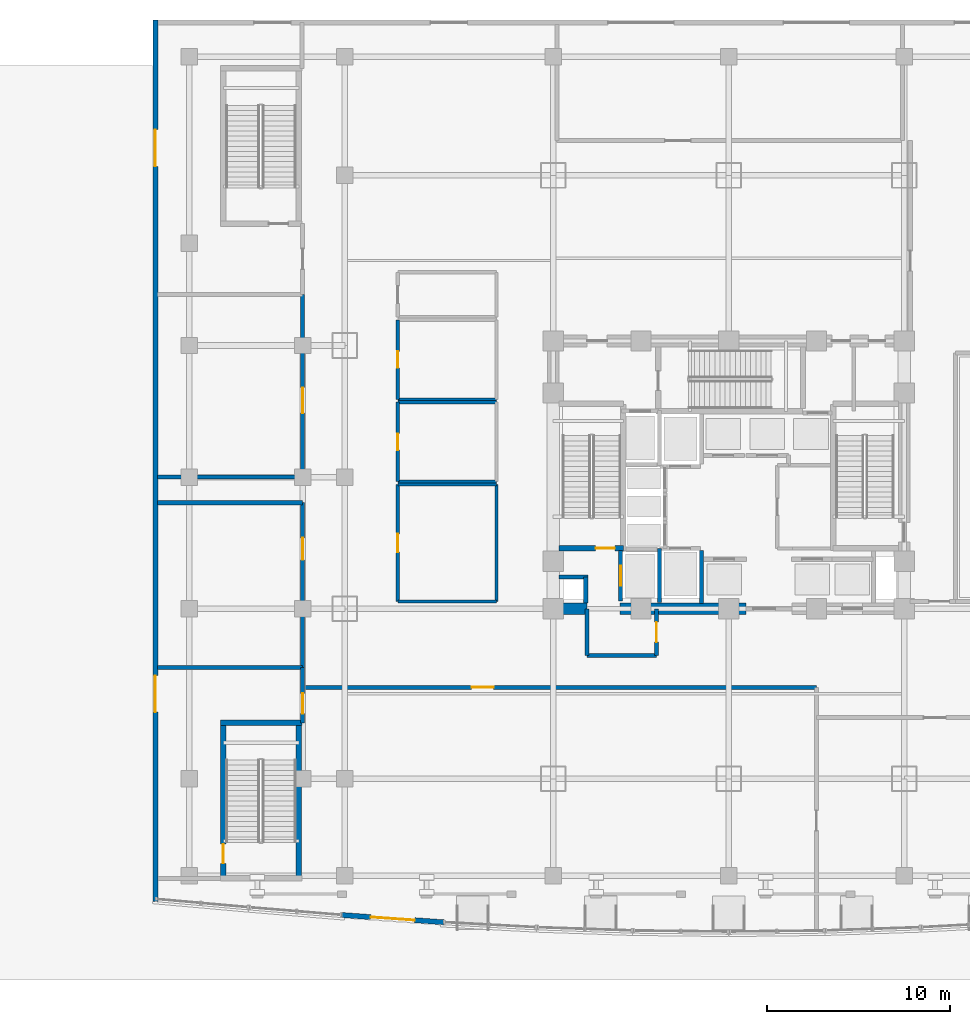
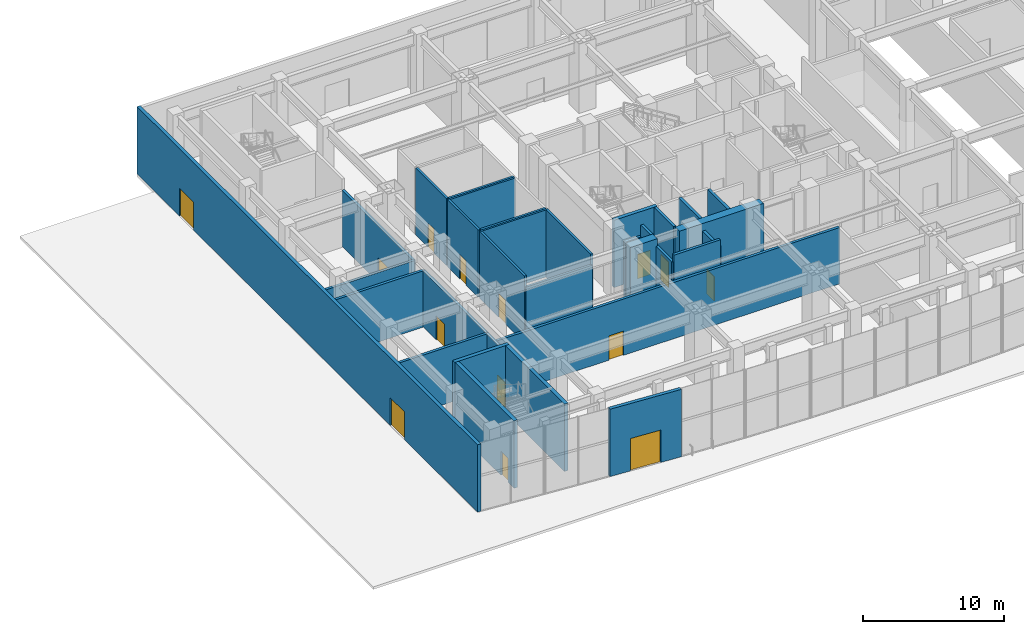
# One storey, part 12 of 23: 32 walls, 14 doors, 14 openings.
"""IFC4 building model written with IfcOpenShell, lengths in metres."""

from ifc_helpers import new_model, si_unit, direction, frame, frame_2d, origin, place, context, subcontext, project, spatial, rectangle, extrude, material, layer, layer_set, type_object, element, fill, save


model = new_model("IFC4")

# Units and contexts
model_context = context("Model", 3, precision=1e-05, world=origin(), true_north=direction((0.0, 1.0)))
body_context = subcontext(model_context, "Body", "Model", "MODEL_VIEW")
ifc_project = project(units=[si_unit("LENGTHUNIT", "METRE"), si_unit("AREAUNIT", "SQUARE_METRE"), si_unit("VOLUMEUNIT", "CUBIC_METRE"), si_unit("PLANEANGLEUNIT", "RADIAN"), si_unit("MASSUNIT", "GRAM", prefix="KILO")], contexts=[model_context])

# Site, building, storey
site_placement = place(None, origin())
site = spatial("IfcSite", under=ifc_project, at=site_placement, CompositionType="ELEMENT")
building_placement = place(site_placement, origin())
building = spatial("IfcBuilding", under=site, at=building_placement, Name="Vantalir Tower", CompositionType="ELEMENT")
storey_placement = place(building_placement, origin())
storey = spatial("IfcBuildingStorey", under=building, at=storey_placement, Name="L00", CompositionType="ELEMENT", Elevation=0.0)

# Walls
ifc_material_1 = material(Name="Concrete C60/75", Category="concrete")
ifc_layer_1 = layer(ifc_material_1, 0.64990234375)
ifc_layer_set_1 = layer_set([ifc_layer_1], Name="Concrete C60/75")
wall_type_1 = type_object("IfcWallType", Name="WL-CORE-650", PredefinedType="SHEAR", material=ifc_layer_set_1)
wall_1_placement = place(storey_placement, frame((21.574951171875, 17.800048828125, 0.0), z_axis=(0.0, 0.0, 1.0), x_axis=(1.0, 0.0, 0.0)))
element("IfcWall", 1, at=wall_1_placement, inside=storey, type_object=wall_type_1, Name="L00 Core Shear Wall South-West", PredefinedType="SHEAR", context=body_context, shape_type="SweptSolid", body=[
    extrude(rectangle(XDim=2.175048828125, YDim=0.64990234375, at=frame_2d((1.08740234375, 0.0))), origin(), (0.0, 0.0, 1.0), 5.820068359375),
])
wall_2_placement = place(storey_placement, frame((25.550048828125, 17.800048828125, 0.0), z_axis=(0.0, 0.0, 1.0), x_axis=(1.0, 0.0, 0.0)))
element("IfcWall", 2, at=wall_2_placement, inside=storey, type_object=wall_type_1, Name="L00 Core Shear Wall South-Mid", PredefinedType="SHEAR", context=body_context, shape_type="SweptSolid", body=[
    extrude(rectangle(XDim=6.89990234375, YDim=0.64990234375, at=frame_2d((3.449951171875, 0.0))), origin(), (0.0, 0.0, 1.0), 5.820068359375),
])

# Wall, openings, doors
ifc_material_2 = material(Name="Precast concrete C40/50 with insulated PVDF rainscreen", Category="concrete")
ifc_layer_2 = layer(ifc_material_2, 0.280029296875)
ifc_layer_set_2 = layer_set([ifc_layer_2], Name="Precast concrete C40/50 with insulated PVDF rainscreen")
wall_type_2 = type_object("IfcWallType", Name="WL-EXT-POD-280", PredefinedType="SOLIDWALL", material=ifc_layer_set_2)
wall_3_placement = place(storey_placement, frame((0.139892578125, 50.0, 0.0), z_axis=(0.0, 0.0, 1.0), x_axis=(0.0, -1.0, 0.0)))
wall_3 = element("IfcWall", 3, at=wall_3_placement, inside=storey, type_object=wall_type_2, Name="L00 Podium West Precast Facade Wall", PredefinedType="SOLIDWALL", context=body_context, shape_type="SweptSolid", body=[
    extrude(rectangle(XDim=48.199951171875, YDim=0.280029296875, at=frame_2d((24.10009765625, 0.0))), origin(), (0.0, 0.0, 1.0), 5.820068359375),
])
opening_1_placement = place(wall_3_placement, frame((6.0, 0.0, 0.0)))
opening_1 = element("IfcOpeningElement", 4, at=opening_1_placement, cuts=wall_3, Name="Opening D-EX07", PredefinedType="OPENING", context=body_context, shape_type="SweptSolid", body=[
    extrude(rectangle(XDim=2.0, YDim=2.39990234375, at=frame_2d((1.0, 1.199951171875))), frame((0.0, 0.14990234375, 0.0), z_axis=(0.0, -1.0, 0.0), x_axis=(1.0, 0.0, 0.0)), (0.0, 0.0, 1.0), 0.300048828125),
])
opening_2_placement = place(wall_3_placement, frame((35.85009765625, 0.0, 0.0)))
opening_2 = element("IfcOpeningElement", 5, at=opening_2_placement, cuts=wall_3, Name="Opening D-EX08", PredefinedType="OPENING", context=body_context, shape_type="SweptSolid", body=[
    extrude(rectangle(XDim=2.0, YDim=2.39990234375, at=frame_2d((1.0, 1.199951171875))), frame((0.0, 0.14990234375, 0.0), z_axis=(0.0, -1.0, 0.0), x_axis=(1.0, 0.0, 0.0)), (0.0, 0.0, 1.0), 0.300048828125),
])
ifc_material_3 = material(Name="Anodised aluminium and laminated safety glass", Category="aluminium")
door_type_1 = type_object("IfcDoorType", Name="DR-PERIM-OUT-2000", OperationType="DOUBLE_DOOR_SINGLE_SWING", PredefinedType="DOOR", material=ifc_material_3)
door_1_placement = place(opening_1_placement, frame((2.0, 0.0, 0.0), z_axis=(0.0, 0.0, 1.0), x_axis=(-1.0, 0.0, 0.0)))
door_1 = element("IfcDoor", 6, at=door_1_placement, inside=storey, type_object=door_type_1, Name="Ground Final Exit Door D-EX07", OperationType="DOUBLE_DOOR_SINGLE_SWING", OverallHeight=2.39990234375, OverallWidth=2.0, PredefinedType="DOOR", context=body_context, shape_type="SweptSolid", body=[
    extrude(rectangle(XDim=2.0, YDim=2.39990234375, at=frame_2d((1.0, 1.199951171875))), frame((0.0, 0.02490234375, 0.0), z_axis=(0.0, -1.0, 0.0), x_axis=(1.0, 0.0, 0.0)), (0.0, 0.0, 1.0), 0.050048828125),
])
fill(opening_1, door_1)
door_2_placement = place(opening_2_placement, frame((2.0, 0.0, 0.0), z_axis=(0.0, 0.0, 1.0), x_axis=(-1.0, 0.0, 0.0)))
door_2 = element("IfcDoor", 7, at=door_2_placement, inside=storey, type_object=door_type_1, Name="Ground Final Exit Door D-EX08", OperationType="DOUBLE_DOOR_SINGLE_SWING", OverallHeight=2.39990234375, OverallWidth=2.0, PredefinedType="DOOR", context=body_context, shape_type="SweptSolid", body=[
    extrude(rectangle(XDim=2.0, YDim=2.39990234375, at=frame_2d((1.0, 1.199951171875))), frame((0.0, 0.02490234375, 0.0), z_axis=(0.0, -1.0, 0.0), x_axis=(1.0, 0.0, 0.0)), (0.0, 0.0, 1.0), 0.050048828125),
])
fill(opening_2, door_2)

# Wall, opening, door
wall_4_placement = place(storey_placement, frame((10.31494140625, 1.052978515625, 0.0), z_axis=(0.0, 0.0, 1.0), x_axis=(0.997490275024, -0.070803610312, 0.0)))
wall_4 = element("IfcWall", 8, at=wall_4_placement, inside=storey, type_object=wall_type_2, Name="L00 Hotel Arrival Grand Entrance Portal Wall", PredefinedType="SOLIDWALL", context=body_context, shape_type="SweptSolid", body=[
    extrude(rectangle(XDim=5.63427734375, YDim=0.280029296875, at=frame_2d((2.817138671875, 0.0))), origin(), (0.0, 0.0, 1.0), 5.820068359375),
])
opening_3_placement = place(wall_4_placement, frame((1.616943359375, 0.0, 0.0)))
opening_3 = element("IfcOpeningElement", 9, at=opening_3_placement, cuts=wall_4, Name="Opening D-ENT01", PredefinedType="OPENING", context=body_context, shape_type="SweptSolid", body=[
    extrude(rectangle(XDim=2.39990234375, YDim=2.800048828125, at=frame_2d((1.199951171875, 1.39990234375))), frame((0.0, 0.14990234375, 0.0), z_axis=(0.0, -1.0, 0.0), x_axis=(1.0, 0.0, 0.0)), (0.0, 0.0, 1.0), 0.300048828125),
])
ifc_material_4 = material(Name="Champagne-silver aluminium glazed entrance door", Category="aluminium")
door_type_2 = type_object("IfcDoorType", Name="DR-EXT-LOBBY-2400", OperationType="DOUBLE_DOOR_SINGLE_SWING", PredefinedType="DOOR", material=ifc_material_4)
door_3_placement = place(opening_3_placement, frame((2.39990234375, 0.0, 0.0), z_axis=(0.0, 0.0, 1.0), x_axis=(-1.0, 0.0, 0.0)))
door_3 = element("IfcDoor", 10, at=door_3_placement, inside=storey, type_object=door_type_2, Name="Hotel Arrival Grand Entrance D-ENT01", OperationType="DOUBLE_DOOR_SINGLE_SWING", OverallHeight=2.800048828125, OverallWidth=2.39990234375, PredefinedType="DOOR", context=body_context, shape_type="SweptSolid", body=[
    extrude(rectangle(XDim=2.39990234375, YDim=2.800048828125, at=frame_2d((1.199951171875, 1.39990234375))), frame((0.0, 0.02490234375, 0.0), z_axis=(0.0, -1.0, 0.0), x_axis=(1.0, 0.0, 0.0)), (0.0, 0.0, 1.0), 0.050048828125),
])
fill(opening_3, door_3)

# Walls
ifc_material_5 = material(Name="Concrete blockwork with fireboard lining", Category="masonry")
ifc_layer_3 = layer(ifc_material_5, 0.219970703125)
ifc_layer_set_3 = layer_set([ifc_layer_3], Name="Concrete blockwork with fireboard lining")
wall_type_3 = type_object("IfcWallType", Name="WL-FFL-220", PredefinedType="PARTITIONING", material=ifc_layer_set_3)
wall_5_placement = place(storey_placement, frame((30.0, 18.080078125, 0.0), z_axis=(0.0, 0.0, 1.0), x_axis=(0.0, 1.0, 0.0)))
element("IfcWall", 11, at=wall_5_placement, inside=storey, type_object=wall_type_3, Name="L00 Service Lift SV1 East Shaft Wall", PredefinedType="PARTITIONING", context=body_context, shape_type="SweptSolid", body=[
    extrude(rectangle(XDim=2.89990234375, YDim=0.219970703125, at=frame_2d((1.449951171875, 0.0))), origin(), (0.0, 0.0, 1.0), 5.794921875),
])
wall_6_placement = place(storey_placement, frame((23.679931640625, 18.125, 0.0), z_axis=(0.0, 0.0, 1.0), x_axis=(0.0, 1.0, 0.0)))
element("IfcWall", 12, at=wall_6_placement, inside=storey, type_object=wall_type_3, Name="L00 West MEP Riser Wall E", PredefinedType="PARTITIONING", context=body_context, shape_type="SweptSolid", body=[
    extrude(rectangle(XDim=1.425048828125, YDim=0.219970703125, at=frame_2d((0.71240234375, 0.0))), origin(), (0.0, 0.0, 1.0), 5.800048828125),
])
wall_7_placement = place(storey_placement, frame((22.22509765625, 19.550048828125, 0.0), z_axis=(0.0, 0.0, 1.0), x_axis=(1.0, 0.0, 0.0)))
element("IfcWall", 13, at=wall_7_placement, inside=storey, type_object=wall_type_3, Name="L00 West MEP Riser Wall N", PredefinedType="PARTITIONING", context=body_context, shape_type="SweptSolid", body=[
    extrude(rectangle(XDim=1.56494140625, YDim=0.219970703125, at=frame_2d((0.782470703125, 0.0))), origin(), (0.0, 0.0, 1.0), 4.844970703125),
])

# Wall, opening, door
wall_8_placement = place(storey_placement, frame((25.590087890625, 18.219970703125, 0.0), z_axis=(0.0, 0.0, 1.0), x_axis=(0.0, 1.0, 0.0)))
wall_8 = element("IfcWall", 14, at=wall_8_placement, inside=storey, type_object=wall_type_3, Name="L00 Lift FL1 Shaft Front Wall", PredefinedType="PARTITIONING", context=body_context, shape_type="SweptSolid", body=[
    extrude(rectangle(XDim=2.760009765625, YDim=0.219970703125, at=frame_2d((1.3798828125, 0.0))), origin(), (0.0, 0.0, 1.0), 5.800048828125),
])
opening_4_placement = place(wall_8_placement, frame((0.830078125, 0.0, 0.0)))
opening_4 = element("IfcOpeningElement", 15, at=opening_4_placement, cuts=wall_8, Name="Opening LD-FL1", PredefinedType="OPENING", context=body_context, shape_type="SweptSolid", body=[
    extrude(rectangle(XDim=1.10009765625, YDim=2.199951171875, at=frame_2d((0.550048828125, 1.10009765625))), frame((0.0, 0.119873046875, 0.0), z_axis=(0.0, -1.0, 0.0), x_axis=(1.0, 0.0, 0.0)), (0.0, 0.0, 1.0), 0.239990234375),
])
ifc_material_6 = material(Name="Brushed stainless-steel sliding lift landing door", Category="steel")
door_type_3 = type_object("IfcDoorType", Name="DR-LIFT-LANDING-1100", OperationType="DOUBLE_DOOR_SLIDING", PredefinedType="DOOR", material=ifc_material_6)
door_4_placement = place(opening_4_placement, origin())
door_4 = element("IfcDoor", 16, at=door_4_placement, inside=storey, type_object=door_type_3, Name="L00 Lift Landing Door FL1", OperationType="DOUBLE_DOOR_SLIDING", OverallHeight=2.199951171875, OverallWidth=1.10009765625, PredefinedType="DOOR", context=body_context, shape_type="SweptSolid", body=[
    extrude(rectangle(XDim=1.10009765625, YDim=2.199951171875, at=frame_2d((0.550048828125, 1.10009765625))), frame((0.0, 0.02490234375, 0.0), z_axis=(0.0, -1.0, 0.0), x_axis=(1.0, 0.0, 0.0)), (0.0, 0.0, 1.0), 0.050048828125),
])
fill(opening_4, door_4)

# Walls
wall_9_placement = place(storey_placement, frame((27.699951171875, 18.14990234375, 0.0), z_axis=(0.0, 0.0, 1.0), x_axis=(0.0, 1.0, 0.0)))
element("IfcWall", 17, at=wall_9_placement, inside=storey, type_object=wall_type_3, Name="L00 Fire Lift FL1 Dividing Wall", PredefinedType="PARTITIONING", context=body_context, shape_type="SweptSolid", body=[
    extrude(rectangle(XDim=2.9501953125, YDim=0.219970703125, at=frame_2d((1.47509765625, 0.0))), origin(), (0.0, 0.0, 1.0), 5.800048828125),
])
wall_10_placement = place(storey_placement, frame((23.75, 15.25, 0.0), z_axis=(0.0, 0.0, 1.0), x_axis=(0.0, 1.0, 0.0)))
element("IfcWall", 18, at=wall_10_placement, inside=storey, type_object=wall_type_3, Name="L00 Firefighting Lobby West Outer W", PredefinedType="PARTITIONING", context=body_context, shape_type="SweptSolid", body=[
    extrude(rectangle(XDim=2.550048828125, YDim=0.219970703125, at=frame_2d((1.27490234375, 0.0))), origin(), (0.0, 0.0, 1.0), 5.177978515625),
])
wall_11_placement = place(storey_placement, frame((23.75, 15.25, 0.0), z_axis=(0.0, 0.0, 1.0), x_axis=(1.0, 0.0, 0.0)))
element("IfcWall", 19, at=wall_11_placement, inside=storey, type_object=wall_type_3, Name="L00 Firefighting Lobby West South Wall", PredefinedType="PARTITIONING", context=body_context, shape_type="SweptSolid", body=[
    extrude(rectangle(XDim=3.800048828125, YDim=0.219970703125, at=frame_2d((1.89990234375, 0.0))), origin(), (0.0, 0.0, 1.0), 5.800048828125),
])

# Wall, opening, door
wall_12_placement = place(storey_placement, frame((27.550048828125, 15.25, 0.0), z_axis=(0.0, 0.0, 1.0), x_axis=(0.0, 1.0, 0.0)))
wall_12 = element("IfcWall", 20, at=wall_12_placement, inside=storey, type_object=wall_type_3, Name="L00 Firefighting Lobby West East Wall", PredefinedType="PARTITIONING", context=body_context, shape_type="SweptSolid", body=[
    extrude(rectangle(XDim=2.550048828125, YDim=0.219970703125, at=frame_2d((1.27490234375, 0.0))), origin(), (0.0, 0.0, 1.0), 5.177978515625),
])
opening_5_placement = place(wall_12_placement, frame((0.72509765625, 0.0, 0.0)))
opening_5 = element("IfcOpeningElement", 21, at=opening_5_placement, cuts=wall_12, Name="Opening D-FFL", PredefinedType="OPENING", context=body_context, shape_type="SweptSolid", body=[
    extrude(rectangle(XDim=1.10009765625, YDim=2.10009765625, at=frame_2d((0.550048828125, 1.050048828125))), frame((0.0, 0.119873046875, 0.0), z_axis=(0.0, -1.0, 0.0), x_axis=(1.0, 0.0, 0.0)), (0.0, 0.0, 1.0), 0.239990234375),
])
ifc_material_7 = material(Name="Fire-rated acoustic steel door", Category="steel")
door_type_4 = type_object("IfcDoorType", Name="DR-FIRE-LOBBY-1100", OperationType="NOTDEFINED", PredefinedType="DOOR", material=ifc_material_7)
door_5_placement = place(opening_5_placement, frame((1.10009765625, 0.0, 0.0), z_axis=(0.0, 0.0, 1.0), x_axis=(-1.0, 0.0, 0.0)))
door_5 = element("IfcDoor", 22, at=door_5_placement, inside=storey, type_object=door_type_4, Name="L00 Firefighting Lobby West Access Door", OperationType="SINGLE_SWING_LEFT", OverallHeight=2.10009765625, OverallWidth=1.10009765625, PredefinedType="DOOR", context=body_context, shape_type="SweptSolid", body=[
    extrude(rectangle(XDim=1.10009765625, YDim=2.10009765625, at=frame_2d((0.550048828125, 1.050048828125))), frame((0.0, 0.02490234375, 0.0), z_axis=(0.0, -1.0, 0.0), x_axis=(1.0, 0.0, 0.0)), (0.0, 0.0, 1.0), 0.050048828125),
])
fill(opening_5, door_5)

wall_13_placement = place(storey_placement, frame((8.199951171875, 13.5, 0.0), z_axis=(0.0, 0.0, 1.0), x_axis=(1.0, 0.0, 0.0)))
wall_13 = element("IfcWall", 23, at=wall_13_placement, inside=storey, type_object=wall_type_3, Name="L00 Hotel Arrival Lobby North Fire Wall", PredefinedType="PARTITIONING", context=body_context, shape_type="SweptSolid", body=[
    extrude(rectangle(XDim=28.10009765625, YDim=0.219970703125, at=frame_2d((14.050048828125, 0.0))), origin(), (0.0, 0.0, 1.0), 4.867919921875),
])
opening_6_placement = place(wall_13_placement, frame((9.235107421875, 0.0, 0.0)))
opening_6 = element("IfcOpeningElement", 24, at=opening_6_placement, cuts=wall_13, Name="Opening D-STE", PredefinedType="OPENING", context=body_context, shape_type="SweptSolid", body=[
    extrude(rectangle(XDim=1.199951171875, YDim=2.10009765625, at=frame_2d((0.60009765625, 1.050048828125))), frame((0.0, 0.119873046875, 0.0), z_axis=(0.0, -1.0, 0.0), x_axis=(1.0, 0.0, 0.0)), (0.0, 0.0, 1.0), 0.239990234375),
])
ifc_material_8 = material(Name="Solid-core teak veneer suite entrance door", Category="wood")
door_type_5 = type_object("IfcDoorType", Name="DR-SUITE-ENTRY-1200", OperationType="NOTDEFINED", PredefinedType="DOOR", material=ifc_material_8)
door_6_placement = place(opening_6_placement, origin())
door_6 = element("IfcDoor", 25, at=door_6_placement, inside=storey, type_object=door_type_5, Name="L00 Hotel Lobby Fire Exit Door", OperationType="SINGLE_SWING_LEFT", OverallHeight=2.10009765625, OverallWidth=1.199951171875, PredefinedType="DOOR", context=body_context, shape_type="SweptSolid", body=[
    extrude(rectangle(XDim=1.199951171875, YDim=2.10009765625, at=frame_2d((0.60009765625, 1.050048828125))), frame((0.0, 0.02490234375, 0.0), z_axis=(0.0, -1.0, 0.0), x_axis=(1.0, 0.0, 0.0)), (0.0, 0.0, 1.0), 0.050048828125),
])
fill(opening_6, door_6)

# Walls
for number, where, z_axis, x_axis, name in (
    (26, (0.25, 14.60009765625, 0.0), (0.0, 0.0, 1.0), (1.0, 0.0, 0.0), "L00 Kopitiam Cafe South Wall"),
    (27, (0.25, 23.60009765625, 0.0), (0.0, 0.0, 1.0), (1.0, 0.0, 0.0), "L00 Kopitiam Cafe North Wall"),
):
    element("IfcWall", number, at=place(storey_placement, frame(where, z_axis=z_axis, x_axis=x_axis)), inside=storey, type_object=wall_type_3, Name=name, PredefinedType="PARTITIONING", context=body_context, shape_type="SweptSolid", body=[
        extrude(rectangle(XDim=7.949951171875, YDim=0.219970703125, at=frame_2d((3.97509765625, 0.0))), origin(), (0.0, 0.0, 1.0), 4.867919921875),
    ])

# Wall, opening, door
wall_14_placement = place(storey_placement, frame((8.199951171875, 14.60009765625, 0.0), z_axis=(0.0, 0.0, 1.0), x_axis=(0.0, 1.0, 0.0)))
wall_14 = element("IfcWall", 28, at=wall_14_placement, inside=storey, type_object=wall_type_3, Name="L00 Kopitiam Cafe East Wall", PredefinedType="PARTITIONING", context=body_context, shape_type="SweptSolid", body=[
    extrude(rectangle(XDim=9.0, YDim=0.219970703125, at=frame_2d((4.5, 0.0))), origin(), (0.0, 0.0, 1.0), 4.867919921875),
])
opening_7_placement = place(wall_14_placement, frame((5.8798828125, 0.0, 0.0)))
opening_7 = element("IfcOpeningElement", 29, at=opening_7_placement, cuts=wall_14, Name="Opening D-STE", PredefinedType="OPENING", context=body_context, shape_type="SweptSolid", body=[
    extrude(rectangle(XDim=1.199951171875, YDim=2.10009765625, at=frame_2d((0.60009765625, 1.050048828125))), frame((0.0, 0.119873046875, 0.0), z_axis=(0.0, -1.0, 0.0), x_axis=(1.0, 0.0, 0.0)), (0.0, 0.0, 1.0), 0.239990234375),
])
door_7_placement = place(opening_7_placement, origin())
door_7 = element("IfcDoor", 30, at=door_7_placement, inside=storey, type_object=door_type_5, Name="L00 Kopitiam Cafe Door", OperationType="SINGLE_SWING_LEFT", OverallHeight=2.10009765625, OverallWidth=1.199951171875, PredefinedType="DOOR", context=body_context, shape_type="SweptSolid", body=[
    extrude(rectangle(XDim=1.199951171875, YDim=2.10009765625, at=frame_2d((0.60009765625, 1.050048828125))), frame((0.0, 0.02490234375, 0.0), z_axis=(0.0, -1.0, 0.0), x_axis=(1.0, 0.0, 0.0)), (0.0, 0.0, 1.0), 0.050048828125),
])
fill(opening_7, door_7)

# Wall
wall_15_placement = place(storey_placement, frame((0.25, 25.0, 0.0), z_axis=(0.0, 0.0, 1.0), x_axis=(1.0, 0.0, 0.0)))
element("IfcWall", 31, at=wall_15_placement, inside=storey, type_object=wall_type_3, Name="L00 Commercial Main Production Kitchen South Wall", PredefinedType="PARTITIONING", context=body_context, shape_type="SweptSolid", body=[
    extrude(rectangle(XDim=7.949951171875, YDim=0.219970703125, at=frame_2d((3.97509765625, 0.0))), origin(), (0.0, 0.0, 1.0), 4.867919921875),
])

# Wall, opening, door
wall_16_placement = place(storey_placement, frame((8.199951171875, 25.0, 0.0), z_axis=(0.0, 0.0, 1.0), x_axis=(0.0, 1.0, 0.0)))
wall_16 = element("IfcWall", 32, at=wall_16_placement, inside=storey, type_object=wall_type_3, Name="L00 Commercial Main Production Kitchen East Wall", PredefinedType="PARTITIONING", context=body_context, shape_type="SweptSolid", body=[
    extrude(rectangle(XDim=10.0, YDim=0.219970703125, at=frame_2d((5.0, 0.0))), origin(), (0.0, 0.0, 1.0), 4.867919921875),
])
opening_8_placement = place(wall_16_placement, frame((3.5, 0.0, 0.0)))
opening_8 = element("IfcOpeningElement", 33, at=opening_8_placement, cuts=wall_16, Name="Opening D-PLANT", PredefinedType="OPENING", context=body_context, shape_type="SweptSolid", body=[
    extrude(rectangle(XDim=1.39990234375, YDim=2.10009765625, at=frame_2d((0.699951171875, 1.050048828125))), frame((0.0, 0.119873046875, 0.0), z_axis=(0.0, -1.0, 0.0), x_axis=(1.0, 0.0, 0.0)), (0.0, 0.0, 1.0), 0.239990234375),
])
ifc_material_9 = material(Name="Louvred fire-rated steel plant double door", Category="steel")
door_type_6 = type_object("IfcDoorType", Name="DR-PLANT-1400", OperationType="DOUBLE_DOOR_SINGLE_SWING", PredefinedType="DOOR", material=ifc_material_9)
door_8_placement = place(opening_8_placement, origin())
door_8 = element("IfcDoor", 34, at=door_8_placement, inside=storey, type_object=door_type_6, Name="L00 Commercial Main Production Kitchen Door", OperationType="DOUBLE_DOOR_SINGLE_SWING", OverallHeight=2.10009765625, OverallWidth=1.39990234375, PredefinedType="DOOR", context=body_context, shape_type="SweptSolid", body=[
    extrude(rectangle(XDim=1.39990234375, YDim=2.10009765625, at=frame_2d((0.699951171875, 1.050048828125))), frame((0.0, 0.02490234375, 0.0), z_axis=(0.0, -1.0, 0.0), x_axis=(1.0, 0.0, 0.0)), (0.0, 0.0, 1.0), 0.050048828125),
])
fill(opening_8, door_8)

wall_17_placement = place(storey_placement, frame((8.199951171875, 11.56005859375, 0.0), z_axis=(0.0, 0.0, 1.0), x_axis=(0.0, 1.0, 0.0)))
wall_17 = element("IfcWall", 35, at=wall_17_placement, inside=storey, type_object=wall_type_3, Name="L00 South-West Exit Passage East Wall", PredefinedType="PARTITIONING", context=body_context, shape_type="SweptSolid", body=[
    extrude(rectangle(XDim=3.0400390625, YDim=0.219970703125, at=frame_2d((1.52001953125, 0.0))), origin(), (0.0, 0.0, 1.0), 4.867919921875),
])
opening_9_placement = place(wall_17_placement, frame((0.513916015625, 0.0, 0.0)))
opening_9 = element("IfcOpeningElement", 36, at=opening_9_placement, cuts=wall_17, Name="Opening D-FFL", PredefinedType="OPENING", context=body_context, shape_type="SweptSolid", body=[
    extrude(rectangle(XDim=1.10009765625, YDim=2.10009765625, at=frame_2d((0.550048828125, 1.050048828125))), frame((0.0, 0.119873046875, 0.0), z_axis=(0.0, -1.0, 0.0), x_axis=(1.0, 0.0, 0.0)), (0.0, 0.0, 1.0), 0.239990234375),
])
door_9_placement = place(opening_9_placement, origin())
door_9 = element("IfcDoor", 37, at=door_9_placement, inside=storey, type_object=door_type_4, Name="L00 South-West Exit Passage Fire Door", OperationType="SINGLE_SWING_LEFT", OverallHeight=2.10009765625, OverallWidth=1.10009765625, PredefinedType="DOOR", context=body_context, shape_type="SweptSolid", body=[
    extrude(rectangle(XDim=1.10009765625, YDim=2.10009765625, at=frame_2d((0.550048828125, 1.050048828125))), frame((0.0, 0.02490234375, 0.0), z_axis=(0.0, -1.0, 0.0), x_axis=(1.0, 0.0, 0.0)), (0.0, 0.0, 1.0), 0.050048828125),
])
fill(opening_9, door_9)

# Walls
ifc_material_10 = material(Name="Twin-stud acoustic fire-rated gypsum partition", Category="gypsum")
ifc_layer_4 = layer(ifc_material_10, 0.179931640625)
ifc_layer_set_4 = layer_set([ifc_layer_4], Name="Twin-stud acoustic fire-rated gypsum partition")
wall_type_4 = type_object("IfcWallType", Name="WL-GUEST-180", PredefinedType="PARTITIONING", material=ifc_layer_set_4)
wall_18_placement = place(storey_placement, frame((13.39990234375, 18.199951171875, 0.0), z_axis=(0.0, 0.0, 1.0), x_axis=(1.0, 0.0, 0.0)))
element("IfcWall", 38, at=wall_18_placement, inside=storey, type_object=wall_type_4, Name="L00 Hotel Luggage Room South Wall", PredefinedType="PARTITIONING", context=body_context, shape_type="SweptSolid", body=[
    extrude(rectangle(XDim=5.400146484375, YDim=0.179931640625, at=frame_2d((2.7001953125, 0.0))), origin(), (0.0, 0.0, 1.0), 4.867919921875),
])
wall_19_placement = place(storey_placement, frame((13.39990234375, 24.60009765625, 0.0), z_axis=(0.0, 0.0, 1.0), x_axis=(1.0, 0.0, 0.0)))
element("IfcWall", 39, at=wall_19_placement, inside=storey, type_object=wall_type_4, Name="L00 Hotel Luggage Room North Wall", PredefinedType="PARTITIONING", context=body_context, shape_type="SweptSolid", body=[
    extrude(rectangle(XDim=5.400146484375, YDim=0.179931640625, at=frame_2d((2.7001953125, 0.0))), origin(), (0.0, 0.0, 1.0), 5.800048828125),
])

# Wall, opening, door
wall_20_placement = place(storey_placement, frame((13.39990234375, 18.199951171875, 0.0), z_axis=(0.0, 0.0, 1.0), x_axis=(0.0, 1.0, 0.0)))
wall_20 = element("IfcWall", 40, at=wall_20_placement, inside=storey, type_object=wall_type_4, Name="L00 Hotel Luggage Room West Wall", PredefinedType="PARTITIONING", context=body_context, shape_type="SweptSolid", body=[
    extrude(rectangle(XDim=6.400146484375, YDim=0.179931640625, at=frame_2d((3.2001953125, 0.0))), origin(), (0.0, 0.0, 1.0), 5.800048828125),
])
opening_10_placement = place(wall_20_placement, frame((2.699951171875, 0.0, 0.0)))
opening_10 = element("IfcOpeningElement", 41, at=opening_10_placement, cuts=wall_20, Name="Opening D-GUEST", PredefinedType="OPENING", context=body_context, shape_type="SweptSolid", body=[
    extrude(rectangle(XDim=1.0, YDim=2.10009765625, at=frame_2d((0.5, 1.050048828125))), frame((0.0, 0.099853515625, 0.0), z_axis=(0.0, -1.0, 0.0), x_axis=(1.0, 0.0, 0.0)), (0.0, 0.0, 1.0), 0.199951171875),
])
ifc_material_11 = material(Name="Solid-core teak veneer acoustic fire door", Category="wood")
door_type_7 = type_object("IfcDoorType", Name="DR-GUEST-ENTRY-1000", OperationType="NOTDEFINED", PredefinedType="DOOR", material=ifc_material_11)
door_10_placement = place(opening_10_placement, frame((1.0, 0.0, 0.0), z_axis=(0.0, 0.0, 1.0), x_axis=(-1.0, 0.0, 0.0)))
door_10 = element("IfcDoor", 42, at=door_10_placement, inside=storey, type_object=door_type_7, Name="L00 Hotel Luggage Room Door", OperationType="SINGLE_SWING_RIGHT", OverallHeight=2.10009765625, OverallWidth=1.0, PredefinedType="DOOR", context=body_context, shape_type="SweptSolid", body=[
    extrude(rectangle(XDim=1.0, YDim=2.10009765625, at=frame_2d((0.5, 1.050048828125))), frame((0.0, 0.02490234375, 0.0), z_axis=(0.0, -1.0, 0.0), x_axis=(1.0, 0.0, 0.0)), (0.0, 0.0, 1.0), 0.050048828125),
])
fill(opening_10, door_10)

# Walls
wall_21_placement = place(storey_placement, frame((18.800048828125, 18.199951171875, 0.0), z_axis=(0.0, 0.0, 1.0), x_axis=(0.0, 1.0, 0.0)))
element("IfcWall", 43, at=wall_21_placement, inside=storey, type_object=wall_type_4, Name="L00 Hotel Luggage Room East Wall", PredefinedType="PARTITIONING", context=body_context, shape_type="SweptSolid", body=[
    extrude(rectangle(XDim=6.400146484375, YDim=0.179931640625, at=frame_2d((3.2001953125, 0.0))), origin(), (0.0, 0.0, 1.0), 5.800048828125),
])
for number, where, z_axis, x_axis, name in (
    (44, (13.39990234375, 24.75, 0.0), (0.0, 0.0, 1.0), (1.0, 0.0, 0.0), "L00 Public Male WC South Wall"),
    (45, (13.39990234375, 29.10009765625, 0.0), (0.0, 0.0, 1.0), (1.0, 0.0, 0.0), "L00 Public Male WC North Wall"),
):
    element("IfcWall", number, at=place(storey_placement, frame(where, z_axis=z_axis, x_axis=x_axis)), inside=storey, type_object=wall_type_4, Name=name, PredefinedType="PARTITIONING", context=body_context, shape_type="SweptSolid", body=[
        extrude(rectangle(XDim=5.400146484375, YDim=0.179931640625, at=frame_2d((2.7001953125, 0.0))), origin(), (0.0, 0.0, 1.0), 5.800048828125),
    ])

# Wall, opening, door
wall_22_placement = place(storey_placement, frame((13.39990234375, 24.75, 0.0), z_axis=(0.0, 0.0, 1.0), x_axis=(0.0, 1.0, 0.0)))
wall_22 = element("IfcWall", 46, at=wall_22_placement, inside=storey, type_object=wall_type_4, Name="L00 Public Male WC West Wall", PredefinedType="PARTITIONING", context=body_context, shape_type="SweptSolid", body=[
    extrude(rectangle(XDim=4.35009765625, YDim=0.179931640625, at=frame_2d((2.175048828125, 0.0))), origin(), (0.0, 0.0, 1.0), 5.800048828125),
])
opening_11_placement = place(wall_22_placement, frame((1.72509765625, 0.0, 0.0)))
opening_11 = element("IfcOpeningElement", 47, at=opening_11_placement, cuts=wall_22, Name="Opening D-CR", PredefinedType="OPENING", context=body_context, shape_type="SweptSolid", body=[
    extrude(rectangle(XDim=0.89990234375, YDim=2.10009765625, at=frame_2d((0.449951171875, 1.050048828125))), frame((0.0, 0.099853515625, 0.0), z_axis=(0.0, -1.0, 0.0), x_axis=(1.0, 0.0, 0.0)), (0.0, 0.0, 1.0), 0.199951171875),
])
ifc_material_12 = material(Name="Fire-rated steel core service door", Category="steel")
door_type_8 = type_object("IfcDoorType", Name="DR-CORE-SERV-900", OperationType="NOTDEFINED", PredefinedType="DOOR", material=ifc_material_12)
door_11_placement = place(opening_11_placement, frame((0.89990234375, 0.0, 0.0), z_axis=(0.0, 0.0, 1.0), x_axis=(-1.0, 0.0, 0.0)))
door_11 = element("IfcDoor", 48, at=door_11_placement, inside=storey, type_object=door_type_8, Name="L00 Public Male WC Door", OperationType="SINGLE_SWING_LEFT", OverallHeight=2.10009765625, OverallWidth=0.89990234375, PredefinedType="DOOR", context=body_context, shape_type="SweptSolid", body=[
    extrude(rectangle(XDim=0.89990234375, YDim=2.10009765625, at=frame_2d((0.449951171875, 1.050048828125))), frame((0.0, 0.02490234375, 0.0), z_axis=(0.0, -1.0, 0.0), x_axis=(1.0, 0.0, 0.0)), (0.0, 0.0, 1.0), 0.050048828125),
])
fill(opening_11, door_11)

# Wall
wall_23_placement = place(storey_placement, frame((13.39990234375, 29.25, 0.0), z_axis=(0.0, 0.0, 1.0), x_axis=(1.0, 0.0, 0.0)))
element("IfcWall", 49, at=wall_23_placement, inside=storey, type_object=wall_type_4, Name="L00 Public Female WC South Wall", PredefinedType="PARTITIONING", context=body_context, shape_type="SweptSolid", body=[
    extrude(rectangle(XDim=5.400146484375, YDim=0.179931640625, at=frame_2d((2.7001953125, 0.0))), origin(), (0.0, 0.0, 1.0), 5.800048828125),
])

# Wall, opening, door
wall_24_placement = place(storey_placement, frame((13.39990234375, 29.25, 0.0), z_axis=(0.0, 0.0, 1.0), x_axis=(0.0, 1.0, 0.0)))
wall_24 = element("IfcWall", 50, at=wall_24_placement, inside=storey, type_object=wall_type_4, Name="L00 Public Female WC West Wall", PredefinedType="PARTITIONING", context=body_context, shape_type="SweptSolid", body=[
    extrude(rectangle(XDim=4.35009765625, YDim=0.179931640625, at=frame_2d((2.175048828125, 0.0))), origin(), (0.0, 0.0, 1.0), 5.800048828125),
])
opening_12_placement = place(wall_24_placement, frame((1.72509765625, 0.0, 0.0)))
opening_12 = element("IfcOpeningElement", 51, at=opening_12_placement, cuts=wall_24, Name="Opening D-CR", PredefinedType="OPENING", context=body_context, shape_type="SweptSolid", body=[
    extrude(rectangle(XDim=0.89990234375, YDim=2.10009765625, at=frame_2d((0.449951171875, 1.050048828125))), frame((0.0, 0.099853515625, 0.0), z_axis=(0.0, -1.0, 0.0), x_axis=(1.0, 0.0, 0.0)), (0.0, 0.0, 1.0), 0.199951171875),
])
door_12_placement = place(opening_12_placement, frame((0.89990234375, 0.0, 0.0), z_axis=(0.0, 0.0, 1.0), x_axis=(-1.0, 0.0, 0.0)))
door_12 = element("IfcDoor", 52, at=door_12_placement, inside=storey, type_object=door_type_8, Name="L00 Public Female WC Door", OperationType="SINGLE_SWING_RIGHT", OverallHeight=2.10009765625, OverallWidth=0.89990234375, PredefinedType="DOOR", context=body_context, shape_type="SweptSolid", body=[
    extrude(rectangle(XDim=0.89990234375, YDim=2.10009765625, at=frame_2d((0.449951171875, 1.050048828125))), frame((0.0, 0.02490234375, 0.0), z_axis=(0.0, -1.0, 0.0), x_axis=(1.0, 0.0, 0.0)), (0.0, 0.0, 1.0), 0.050048828125),
])
fill(opening_12, door_12)

ifc_material_13 = material(Name="Concrete C50/60", Category="concrete")
ifc_layer_5 = layer(ifc_material_13, 0.300048828125)
ifc_layer_set_5 = layer_set([ifc_layer_5], Name="Concrete C50/60")
wall_type_5 = type_object("IfcWallType", Name="WL-STAIR-300", PredefinedType="SHEAR", material=ifc_layer_set_5)
wall_25_placement = place(storey_placement, frame((22.22509765625, 21.10009765625, 0.0), z_axis=(0.0, 0.0, 1.0), x_axis=(1.0, 0.0, 0.0)))
wall_25 = element("IfcWall", 53, at=wall_25_placement, inside=storey, type_object=wall_type_5, Name="L00 Stair ST1 South Wall", PredefinedType="SHEAR", context=body_context, shape_type="SweptSolid", body=[
    extrude(rectangle(XDim=3.514892578125, YDim=0.300048828125, at=frame_2d((1.75732421875, 0.0))), origin(), (0.0, 0.0, 1.0), 5.820068359375),
])
opening_13_placement = place(wall_25_placement, frame((1.9951171875, 0.0, 0.0)))
opening_13 = element("IfcOpeningElement", 54, at=opening_13_placement, cuts=wall_25, Name="Opening D-ST", PredefinedType="OPENING", context=body_context, shape_type="SweptSolid", body=[
    extrude(rectangle(XDim=1.050048828125, YDim=2.10009765625, at=frame_2d((0.52490234375, 1.050048828125))), frame((0.0, 0.159912109375, 0.0), z_axis=(0.0, -1.0, 0.0), x_axis=(1.0, 0.0, 0.0)), (0.0, 0.0, 1.0), 0.320068359375),
])
ifc_material_14 = material(Name="Fire-rated steel door leaf", Category="steel")
door_type_9 = type_object("IfcDoorType", Name="DR-FIRE-STAIR-1050", OperationType="NOTDEFINED", PredefinedType="DOOR", material=ifc_material_14)
door_13_placement = place(opening_13_placement, frame((1.050048828125, 0.0, 0.0), z_axis=(0.0, 0.0, 1.0), x_axis=(-1.0, 0.0, 0.0)))
door_13 = element("IfcDoor", 55, at=door_13_placement, inside=storey, type_object=door_type_9, Name="L00 Exit Stair ST1 Fire Door", OperationType="SINGLE_SWING_LEFT", OverallHeight=2.10009765625, OverallWidth=1.050048828125, PredefinedType="DOOR", context=body_context, shape_type="SweptSolid", body=[
    extrude(rectangle(XDim=1.050048828125, YDim=2.10009765625, at=frame_2d((0.52490234375, 1.050048828125))), frame((0.0, 0.02490234375, 0.0), z_axis=(0.0, -1.0, 0.0), x_axis=(1.0, 0.0, 0.0)), (0.0, 0.0, 1.0), 0.050048828125),
])
fill(opening_13, door_13)

# Wall
wall_26_placement = place(storey_placement, frame((3.699951171875, 11.56005859375, 0.0), z_axis=(0.0, 0.0, 1.0), x_axis=(1.0, 0.0, 0.0)))
element("IfcWall", 56, at=wall_26_placement, inside=storey, type_object=wall_type_5, Name="L00 PST3 North Wall", PredefinedType="SHEAR", context=body_context, shape_type="SweptSolid", body=[
    extrude(rectangle(XDim=4.449951171875, YDim=0.300048828125, at=frame_2d((2.22509765625, 0.0))), origin(), (0.0, 0.0, 1.0), 5.820068359375),
])

# Wall, opening, door
wall_27_placement = place(storey_placement, frame((3.860107421875, 3.06005859375, 0.0), z_axis=(0.0, 0.0, 1.0), x_axis=(0.0, 1.0, 0.0)))
wall_27 = element("IfcWall", 57, at=wall_27_placement, inside=storey, type_object=wall_type_5, Name="L00 PST3 West Wall", PredefinedType="SHEAR", context=body_context, shape_type="SweptSolid", body=[
    extrude(rectangle(XDim=8.5, YDim=0.300048828125, at=frame_2d((4.25, 0.0))), origin(), (0.0, 0.0, 1.0), 5.820068359375),
])
opening_14_placement = place(wall_27_placement, frame((0.820068359375, 0.0, 0.0)))
opening_14 = element("IfcOpeningElement", 58, at=opening_14_placement, cuts=wall_27, Name="Opening D-ST", PredefinedType="OPENING", context=body_context, shape_type="SweptSolid", body=[
    extrude(rectangle(XDim=1.050048828125, YDim=2.10009765625, at=frame_2d((0.52490234375, 1.050048828125))), frame((0.0, 0.159912109375, 0.0), z_axis=(0.0, -1.0, 0.0), x_axis=(1.0, 0.0, 0.0)), (0.0, 0.0, 1.0), 0.320068359375),
])
door_14_placement = place(opening_14_placement, origin())
door_14 = element("IfcDoor", 59, at=door_14_placement, inside=storey, type_object=door_type_9, Name="L00 Podium Stair PST3 Fire Door", OperationType="SINGLE_SWING_LEFT", OverallHeight=2.10009765625, OverallWidth=1.050048828125, PredefinedType="DOOR", context=body_context, shape_type="SweptSolid", body=[
    extrude(rectangle(XDim=1.050048828125, YDim=2.10009765625, at=frame_2d((0.52490234375, 1.050048828125))), frame((0.0, 0.02490234375, 0.0), z_axis=(0.0, -1.0, 0.0), x_axis=(1.0, 0.0, 0.0)), (0.0, 0.0, 1.0), 0.050048828125),
])
fill(opening_14, door_14)

# Wall
wall_28_placement = place(storey_placement, frame((7.989990234375, 3.06005859375, 0.0), z_axis=(0.0, 0.0, 1.0), x_axis=(0.0, 1.0, 0.0)))
element("IfcWall", 60, at=wall_28_placement, inside=storey, type_object=wall_type_5, Name="L00 PST3 East Wall", PredefinedType="SHEAR", context=body_context, shape_type="SweptSolid", body=[
    extrude(rectangle(XDim=8.5, YDim=0.300048828125, at=frame_2d((4.25, 0.0))), origin(), (0.0, 0.0, 1.0), 5.820068359375),
])

save(model, "model.ifc")
